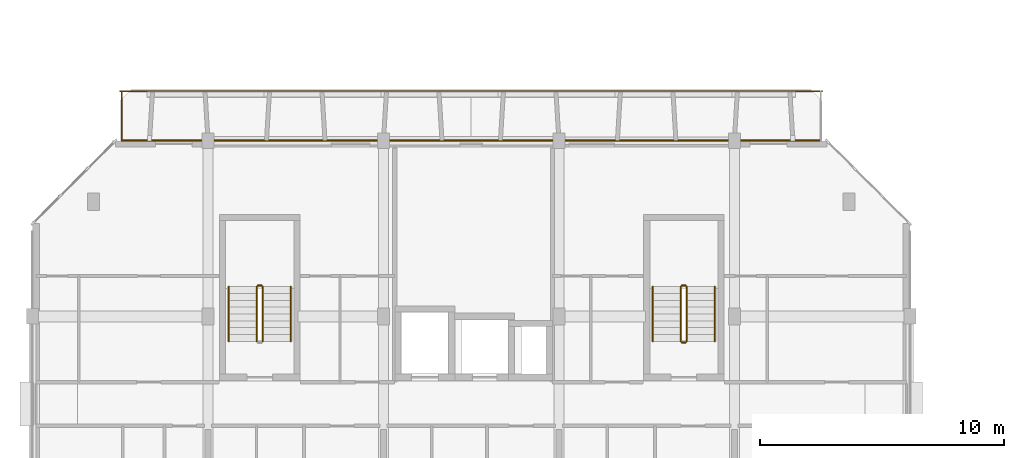
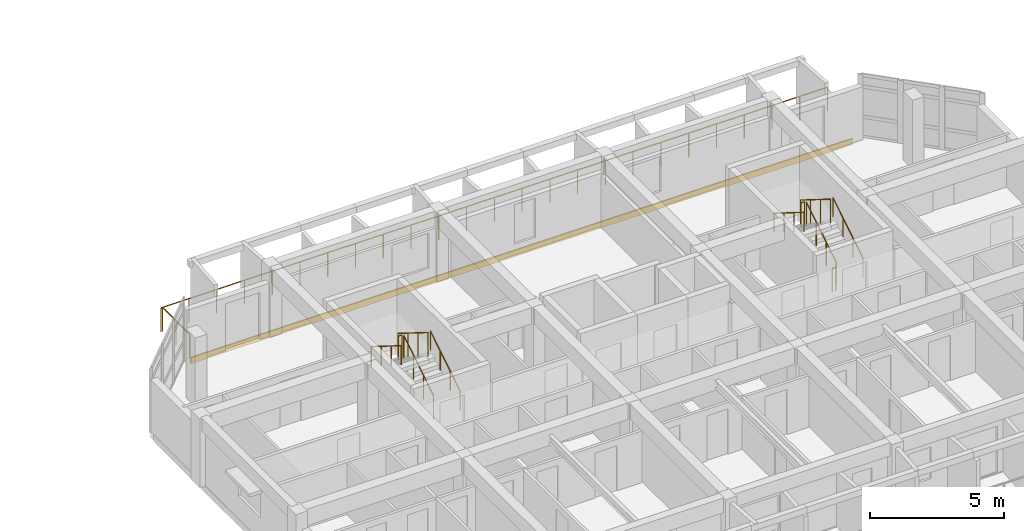
# One storey, part 35 of 43: 13 railings, 1 covering.
"""IFC4 building model written with IfcOpenShell, lengths in metres."""

from ifc_helpers import new_model, si_unit, direction, frame, origin, origin_2d, place, context, subcontext, project, spatial, rectangle, circle, extrude, material, layer, layer_set, type_object, element, save


model = new_model("IFC4")

# Units and contexts
model_context = context("Model", 3, precision=1e-05, world=origin(), true_north=direction((0.0, 1.0)))
body_context = subcontext(model_context, "Body", "Model", "MODEL_VIEW")
ifc_project = project(units=[si_unit("LENGTHUNIT", "METRE"), si_unit("AREAUNIT", "SQUARE_METRE"), si_unit("VOLUMEUNIT", "CUBIC_METRE"), si_unit("PLANEANGLEUNIT", "RADIAN"), si_unit("MASSUNIT", "GRAM", prefix="KILO")], contexts=[model_context])

# Site, building, storey
site_placement = place(None, origin())
site = spatial("IfcSite", under=ifc_project, at=site_placement, CompositionType="ELEMENT")
building_placement = place(site_placement, origin())
building = spatial("IfcBuilding", under=site, at=building_placement, Name="Ochrevale Crest", CompositionType="ELEMENT")
storey_placement = place(building_placement, frame((0.0, 0.0, 15.0)))
storey = spatial("IfcBuildingStorey", under=building, at=storey_placement, Name="L04", CompositionType="ELEMENT", Elevation=15.0)

# Covering
ifc_material_1 = material(Name="Glazed terracotta rainscreen tile", Category="masonry")
ifc_layer = layer(ifc_material_1, 0.048095703125)
ifc_layer_set = layer_set([ifc_layer], Name="Glazed terracotta rainscreen tile")
covering_type = type_object("IfcCoveringType", Name="COV-CLAD-TER", PredefinedType="CLADDING", material=ifc_layer_set)
covering_placement = place(storey_placement, frame((18.0, 36.012451171875, -0.26025390625), z_axis=(0.0, 0.0, 1.0), x_axis=(-1.0, 0.0, 0.0)))
element("IfcCovering", 1, at=covering_placement, inside=storey, type_object=covering_type, Name="Block A L04 terracotta slab-edge spandrel cladding", PredefinedType="CLADDING", context=body_context, shape_type="SweptSolid", body=[
    extrude(rectangle(XDim=28.60009765625, YDim=0.06005859375, at=origin_2d()), origin(), (0.0, 0.0, 1.0), 0.280029296875),
])

# Railings
ifc_material_2 = material(Name="Galvanised steel", Category="steel")
railing_type_1 = type_object("IfcRailingType", Name="RL-BAL-1100", PredefinedType="BALUSTRADE", material=ifc_material_2)
railing_1_placement = place(storey_placement, frame((3.60009765625, 38.0400390625, 0.0)))
element("IfcRailing", 2, at=railing_1_placement, inside=storey, type_object=railing_type_1, Name="Block A L04 N balcony front balustrade", PredefinedType="BALUSTRADE", context=body_context, shape_type="SweptSolid", body=[
    extrude(circle(Radius=0.02392578125, at=origin_2d()), frame((0.0, 0.0, 1.0859375), z_axis=(1.0, 0.0, 0.0), x_axis=(0.0, 1.0, 0.0)), (0.0, 0.0, 1.0), 28.7998046875),
    extrude(circle(Radius=0.02099609375, at=origin_2d()), origin(), (0.0, 0.0, 1.0), 1.06201171875),
    extrude(circle(Radius=0.02099609375, at=origin_2d()), frame((1.199951171875, 0.0, 0.0)), (0.0, 0.0, 1.0), 1.06201171875),
    extrude(circle(Radius=0.02099609375, at=origin_2d()), frame((2.39990234375, 0.0, 0.0)), (0.0, 0.0, 1.0), 1.06201171875),
    extrude(circle(Radius=0.02099609375, at=origin_2d()), frame((3.60009765625, 0.0, 0.0)), (0.0, 0.0, 1.0), 1.06201171875),
    extrude(circle(Radius=0.02099609375, at=origin_2d()), frame((4.800048828125, 0.0, 0.0)), (0.0, 0.0, 1.0), 1.06201171875),
    extrude(circle(Radius=0.02099609375, at=origin_2d()), frame((6.0, 0.0, 0.0)), (0.0, 0.0, 1.0), 1.06201171875),
    extrude(circle(Radius=0.02099609375, at=origin_2d()), frame((7.199951171875, 0.0, 0.0)), (0.0, 0.0, 1.0), 1.06201171875),
    extrude(circle(Radius=0.02099609375, at=origin_2d()), frame((8.39990234375, 0.0, 0.0)), (0.0, 0.0, 1.0), 1.06201171875),
    extrude(circle(Radius=0.02099609375, at=origin_2d()), frame((9.599853515625, 0.0, 0.0)), (0.0, 0.0, 1.0), 1.06201171875),
    extrude(circle(Radius=0.02099609375, at=origin_2d()), frame((10.7998046875, 0.0, 0.0)), (0.0, 0.0, 1.0), 1.06201171875),
    extrude(circle(Radius=0.02099609375, at=origin_2d()), frame((12.0, 0.0, 0.0)), (0.0, 0.0, 1.0), 1.06201171875),
    extrude(circle(Radius=0.02099609375, at=origin_2d()), frame((13.199951171875, 0.0, 0.0)), (0.0, 0.0, 1.0), 1.06201171875),
    extrude(circle(Radius=0.02099609375, at=origin_2d()), frame((14.39990234375, 0.0, 0.0)), (0.0, 0.0, 1.0), 1.06201171875),
    extrude(circle(Radius=0.02099609375, at=origin_2d()), frame((15.599853515625, 0.0, 0.0)), (0.0, 0.0, 1.0), 1.06201171875),
    extrude(circle(Radius=0.02099609375, at=origin_2d()), frame((16.7998046875, 0.0, 0.0)), (0.0, 0.0, 1.0), 1.06201171875),
    extrude(circle(Radius=0.02099609375, at=origin_2d()), frame((18.0, 0.0, 0.0)), (0.0, 0.0, 1.0), 1.06201171875),
    extrude(circle(Radius=0.02099609375, at=origin_2d()), frame((19.199951171875, 0.0, 0.0)), (0.0, 0.0, 1.0), 1.06201171875),
    extrude(circle(Radius=0.02099609375, at=origin_2d()), frame((20.39990234375, 0.0, 0.0)), (0.0, 0.0, 1.0), 1.06201171875),
    extrude(circle(Radius=0.02099609375, at=origin_2d()), frame((21.599853515625, 0.0, 0.0)), (0.0, 0.0, 1.0), 1.06201171875),
    extrude(circle(Radius=0.02099609375, at=origin_2d()), frame((22.7998046875, 0.0, 0.0)), (0.0, 0.0, 1.0), 1.06201171875),
    extrude(circle(Radius=0.02099609375, at=origin_2d()), frame((23.999755859375, 0.0, 0.0)), (0.0, 0.0, 1.0), 1.06201171875),
    extrude(circle(Radius=0.02099609375, at=origin_2d()), frame((25.19970703125, 0.0, 0.0)), (0.0, 0.0, 1.0), 1.06201171875),
    extrude(circle(Radius=0.02099609375, at=origin_2d()), frame((26.39990234375, 0.0, 0.0)), (0.0, 0.0, 1.0), 1.06201171875),
    extrude(circle(Radius=0.02099609375, at=origin_2d()), frame((27.599853515625, 0.0, 0.0)), (0.0, 0.0, 1.0), 1.06201171875),
    extrude(circle(Radius=0.02099609375, at=origin_2d()), frame((28.7998046875, 0.0, 0.0)), (0.0, 0.0, 1.0), 1.06201171875),
])
railing_2_placement = place(storey_placement, frame((3.659912109375, 36.0, 0.0)))
element("IfcRailing", 3, at=railing_2_placement, inside=storey, type_object=railing_type_1, Name="Block A L04 N-W balcony side guard", PredefinedType="BALUSTRADE", context=body_context, shape_type="SweptSolid", body=[
    extrude(circle(Radius=0.02392578125, at=origin_2d()), frame((0.0, 0.0, 1.0859375), z_axis=(0.0, 1.0, 0.0), x_axis=(-1.0, 0.0, 0.0)), (0.0, 0.0, 1.0), 2.0400390625),
    extrude(circle(Radius=0.02099609375, at=origin_2d()), origin(), (0.0, 0.0, 1.0), 1.06201171875),
    extrude(circle(Radius=0.02099609375, at=origin_2d()), frame((0.0, 1.02001953125, 0.0)), (0.0, 0.0, 1.0), 1.06201171875),
    extrude(circle(Radius=0.02099609375, at=origin_2d()), frame((0.0, 2.0400390625, 0.0)), (0.0, 0.0, 1.0), 1.06201171875),
])
railing_type_2 = type_object("IfcRailingType", Name="RL-ST-GUARD", PredefinedType="BALUSTRADE", material=ifc_material_2)
railing_3_placement = place(storey_placement, frame((9.449951171875, 27.77490234375, 0.175048828125)))
element("IfcRailing", 4, at=railing_3_placement, inside=storey, type_object=railing_type_2, Name="L04 ST-A1 stair guard 1", PredefinedType="BALUSTRADE", context=body_context, shape_type="SweptSolid", body=[
    extrude(circle(Radius=0.02392578125, at=origin_2d()), frame((0.0, 0.0, 1.076171875), z_axis=(0.0, 0.848013881152, 0.529974015752), x_axis=(-1.0, 0.0, 0.0)), (0.0, 0.0, 1.0), 2.641357421875),
    extrude(circle(Radius=0.02099609375, at=origin_2d()), origin(), (0.0, 0.0, 1.0), 1.052001953125),
    extrude(circle(Radius=0.02099609375, at=origin_2d()), frame((0.0, 0.74658203125, 0.466552734375)), (0.0, 0.0, 1.0), 1.052001953125),
    extrude(circle(Radius=0.02099609375, at=origin_2d()), frame((0.0, 1.493408203125, 0.933349609375)), (0.0, 0.0, 1.0), 1.052001953125),
    extrude(circle(Radius=0.02099609375, at=origin_2d()), frame((0.0, 2.239990234375, 1.39990234375)), (0.0, 0.0, 1.0), 1.052001953125),
])
railing_4_placement = place(storey_placement, frame((9.39990234375, 30.06494140625, 1.574951171875)))
element("IfcRailing", 5, at=railing_4_placement, inside=storey, type_object=railing_type_2, Name="L04 ST-A1 stair guard 2", PredefinedType="BALUSTRADE", context=body_context, shape_type="SweptSolid", body=[
    extrude(circle(Radius=0.02392578125, at=origin_2d()), frame((0.0, 0.0, 1.076171875), z_axis=(-1.0, 0.0, 0.0), x_axis=(0.0, -1.0, 0.0)), (0.0, 0.0, 1.0), 0.14990234375),
    extrude(circle(Radius=0.02099609375, at=origin_2d()), origin(), (0.0, 0.0, 1.0), 1.052001953125),
    extrude(circle(Radius=0.02099609375, at=origin_2d()), frame((-0.14990234375, 0.0, 0.0)), (0.0, 0.0, 1.0), 1.052001953125),
])
railing_5_placement = place(storey_placement, frame((9.199951171875, 30.014892578125, 1.75)))
element("IfcRailing", 6, at=railing_5_placement, inside=storey, type_object=railing_type_2, Name="L04 ST-A1 stair guard 3", PredefinedType="BALUSTRADE", context=body_context, shape_type="SweptSolid", body=[
    extrude(circle(Radius=0.02392578125, at=origin_2d()), frame((0.0, 0.0, 1.076171875), z_axis=(0.0, -0.848013881152, 0.529974015752), x_axis=(1.0, 0.0, 0.0)), (0.0, 0.0, 1.0), 2.641357421875),
    extrude(circle(Radius=0.02099609375, at=origin_2d()), origin(), (0.0, 0.0, 1.0), 1.052001953125),
    extrude(circle(Radius=0.02099609375, at=origin_2d()), frame((0.0, -0.74658203125, 0.466552734375)), (0.0, 0.0, 1.0), 1.052001953125),
    extrude(circle(Radius=0.02099609375, at=origin_2d()), frame((0.0, -1.493408203125, 0.933349609375)), (0.0, 0.0, 1.0), 1.052001953125),
    extrude(circle(Radius=0.02099609375, at=origin_2d()), frame((0.0, -2.239990234375, 1.39990234375)), (0.0, 0.0, 1.0), 1.052001953125),
])
railing_6_placement = place(storey_placement, frame((26.85009765625, 27.77490234375, 0.175048828125)))
element("IfcRailing", 7, at=railing_6_placement, inside=storey, type_object=railing_type_2, Name="L04 ST-A2 stair guard 1", PredefinedType="BALUSTRADE", context=body_context, shape_type="SweptSolid", body=[
    extrude(circle(Radius=0.02392578125, at=origin_2d()), frame((0.0, 0.0, 1.076171875), z_axis=(0.0, 0.848013881152, 0.529974015752), x_axis=(-1.0, 0.0, 0.0)), (0.0, 0.0, 1.0), 2.641357421875),
    extrude(circle(Radius=0.02099609375, at=origin_2d()), origin(), (0.0, 0.0, 1.0), 1.052001953125),
    extrude(circle(Radius=0.02099609375, at=origin_2d()), frame((0.0, 0.74658203125, 0.466552734375)), (0.0, 0.0, 1.0), 1.052001953125),
    extrude(circle(Radius=0.02099609375, at=origin_2d()), frame((0.0, 1.493408203125, 0.933349609375)), (0.0, 0.0, 1.0), 1.052001953125),
    extrude(circle(Radius=0.02099609375, at=origin_2d()), frame((0.0, 2.239990234375, 1.39990234375)), (0.0, 0.0, 1.0), 1.052001953125),
])
railing_7_placement = place(storey_placement, frame((26.800048828125, 30.06494140625, 1.574951171875)))
element("IfcRailing", 8, at=railing_7_placement, inside=storey, type_object=railing_type_2, Name="L04 ST-A2 stair guard 2", PredefinedType="BALUSTRADE", context=body_context, shape_type="SweptSolid", body=[
    extrude(circle(Radius=0.02392578125, at=origin_2d()), frame((0.0, 0.0, 1.076171875), z_axis=(-1.0, 0.0, 0.0), x_axis=(0.0, -1.0, 0.0)), (0.0, 0.0, 1.0), 0.150146484375),
    extrude(circle(Radius=0.02099609375, at=origin_2d()), origin(), (0.0, 0.0, 1.0), 1.052001953125),
    extrude(circle(Radius=0.02099609375, at=origin_2d()), frame((-0.150146484375, 0.0, 0.0)), (0.0, 0.0, 1.0), 1.052001953125),
])
railing_8_placement = place(storey_placement, frame((26.60009765625, 30.014892578125, 1.75)))
element("IfcRailing", 9, at=railing_8_placement, inside=storey, type_object=railing_type_2, Name="L04 ST-A2 stair guard 3", PredefinedType="BALUSTRADE", context=body_context, shape_type="SweptSolid", body=[
    extrude(circle(Radius=0.02392578125, at=origin_2d()), frame((0.0, 0.0, 1.076171875), z_axis=(0.0, -0.848013881152, 0.529974015752), x_axis=(1.0, 0.0, 0.0)), (0.0, 0.0, 1.0), 2.641357421875),
    extrude(circle(Radius=0.02099609375, at=origin_2d()), origin(), (0.0, 0.0, 1.0), 1.052001953125),
    extrude(circle(Radius=0.02099609375, at=origin_2d()), frame((0.0, -0.74658203125, 0.466552734375)), (0.0, 0.0, 1.0), 1.052001953125),
    extrude(circle(Radius=0.02099609375, at=origin_2d()), frame((0.0, -1.493408203125, 0.933349609375)), (0.0, 0.0, 1.0), 1.052001953125),
    extrude(circle(Radius=0.02099609375, at=origin_2d()), frame((0.0, -2.239990234375, 1.39990234375)), (0.0, 0.0, 1.0), 1.052001953125),
])
railing_9_placement = place(storey_placement, frame((26.800048828125, 27.72509765625, 0.0)))
element("IfcRailing", 10, at=railing_9_placement, inside=storey, type_object=railing_type_2, Name="L04 ST-A2 stair guard 4", PredefinedType="BALUSTRADE", context=body_context, shape_type="SweptSolid", body=[
    extrude(circle(Radius=0.02392578125, at=origin_2d()), frame((0.0, 0.0, 1.076171875), z_axis=(-1.0, 0.0, 0.0), x_axis=(0.0, -1.0, 0.0)), (0.0, 0.0, 1.0), 0.150146484375),
    extrude(circle(Radius=0.02099609375, at=origin_2d()), origin(), (0.0, 0.0, 1.0), 1.052001953125),
    extrude(circle(Radius=0.02099609375, at=origin_2d()), frame((-0.150146484375, 0.0, 0.0)), (0.0, 0.0, 1.0), 1.052001953125),
])
ifc_material_3 = material(Name="Stainless steel", Category="steel")
railing_type_3 = type_object("IfcRailingType", Name="RL-ST-HRAIL", PredefinedType="HANDRAIL", material=ifc_material_3)
railing_10_placement = place(storey_placement, frame((10.60009765625, 27.77490234375, 0.175048828125)))
element("IfcRailing", 11, at=railing_10_placement, inside=storey, type_object=railing_type_3, Name="L04 ST-A1 stair handrail 1", PredefinedType="HANDRAIL", context=body_context, shape_type="SweptSolid", body=[
    extrude(circle(Radius=0.02392578125, at=origin_2d()), frame((0.0, 0.0, 0.8759765625), z_axis=(0.0, 0.848013881152, 0.529974015752), x_axis=(-1.0, 0.0, 0.0)), (0.0, 0.0, 1.0), 2.641357421875),
    extrude(circle(Radius=0.02099609375, at=origin_2d()), origin(), (0.0, 0.0, 1.0), 0.851806640625),
    extrude(circle(Radius=0.02099609375, at=origin_2d()), frame((0.0, 0.74658203125, 0.466552734375)), (0.0, 0.0, 1.0), 0.851806640625),
    extrude(circle(Radius=0.02099609375, at=origin_2d()), frame((0.0, 1.493408203125, 0.933349609375)), (0.0, 0.0, 1.0), 0.851806640625),
    extrude(circle(Radius=0.02099609375, at=origin_2d()), frame((0.0, 2.239990234375, 1.39990234375)), (0.0, 0.0, 1.0), 0.851806640625),
])
railing_11_placement = place(storey_placement, frame((8.050048828125, 30.014892578125, 1.75)))
element("IfcRailing", 12, at=railing_11_placement, inside=storey, type_object=railing_type_3, Name="L04 ST-A1 stair handrail 2", PredefinedType="HANDRAIL", context=body_context, shape_type="SweptSolid", body=[
    extrude(circle(Radius=0.02392578125, at=origin_2d()), frame((0.0, 0.0, 0.8759765625), z_axis=(0.0, -0.848013881152, 0.529974015752), x_axis=(1.0, 0.0, 0.0)), (0.0, 0.0, 1.0), 2.641357421875),
    extrude(circle(Radius=0.02099609375, at=origin_2d()), origin(), (0.0, 0.0, 1.0), 0.851806640625),
    extrude(circle(Radius=0.02099609375, at=origin_2d()), frame((0.0, -0.74658203125, 0.466552734375)), (0.0, 0.0, 1.0), 0.851806640625),
    extrude(circle(Radius=0.02099609375, at=origin_2d()), frame((0.0, -1.493408203125, 0.933349609375)), (0.0, 0.0, 1.0), 0.851806640625),
    extrude(circle(Radius=0.02099609375, at=origin_2d()), frame((0.0, -2.239990234375, 1.39990234375)), (0.0, 0.0, 1.0), 0.851806640625),
])
railing_12_placement = place(storey_placement, frame((28.0, 27.77490234375, 0.175048828125)))
element("IfcRailing", 13, at=railing_12_placement, inside=storey, type_object=railing_type_3, Name="L04 ST-A2 stair handrail 1", PredefinedType="HANDRAIL", context=body_context, shape_type="SweptSolid", body=[
    extrude(circle(Radius=0.02392578125, at=origin_2d()), frame((0.0, 0.0, 0.8759765625), z_axis=(0.0, 0.848013881152, 0.529974015752), x_axis=(-1.0, 0.0, 0.0)), (0.0, 0.0, 1.0), 2.641357421875),
    extrude(circle(Radius=0.02099609375, at=origin_2d()), origin(), (0.0, 0.0, 1.0), 0.851806640625),
    extrude(circle(Radius=0.02099609375, at=origin_2d()), frame((0.0, 0.74658203125, 0.466552734375)), (0.0, 0.0, 1.0), 0.851806640625),
    extrude(circle(Radius=0.02099609375, at=origin_2d()), frame((0.0, 1.493408203125, 0.933349609375)), (0.0, 0.0, 1.0), 0.851806640625),
    extrude(circle(Radius=0.02099609375, at=origin_2d()), frame((0.0, 2.239990234375, 1.39990234375)), (0.0, 0.0, 1.0), 0.851806640625),
])
railing_13_placement = place(storey_placement, frame((25.449951171875, 30.014892578125, 1.75)))
element("IfcRailing", 14, at=railing_13_placement, inside=storey, type_object=railing_type_3, Name="L04 ST-A2 stair handrail 2", PredefinedType="HANDRAIL", context=body_context, shape_type="SweptSolid", body=[
    extrude(circle(Radius=0.02392578125, at=origin_2d()), frame((0.0, 0.0, 0.8759765625), z_axis=(0.0, -0.848013881152, 0.529974015752), x_axis=(1.0, 0.0, 0.0)), (0.0, 0.0, 1.0), 2.641357421875),
    extrude(circle(Radius=0.02099609375, at=origin_2d()), origin(), (0.0, 0.0, 1.0), 0.851806640625),
    extrude(circle(Radius=0.02099609375, at=origin_2d()), frame((0.0, -0.74658203125, 0.466552734375)), (0.0, 0.0, 1.0), 0.851806640625),
    extrude(circle(Radius=0.02099609375, at=origin_2d()), frame((0.0, -1.493408203125, 0.933349609375)), (0.0, 0.0, 1.0), 0.851806640625),
    extrude(circle(Radius=0.02099609375, at=origin_2d()), frame((0.0, -2.239990234375, 1.39990234375)), (0.0, 0.0, 1.0), 0.851806640625),
])

save(model, "model.ifc")
